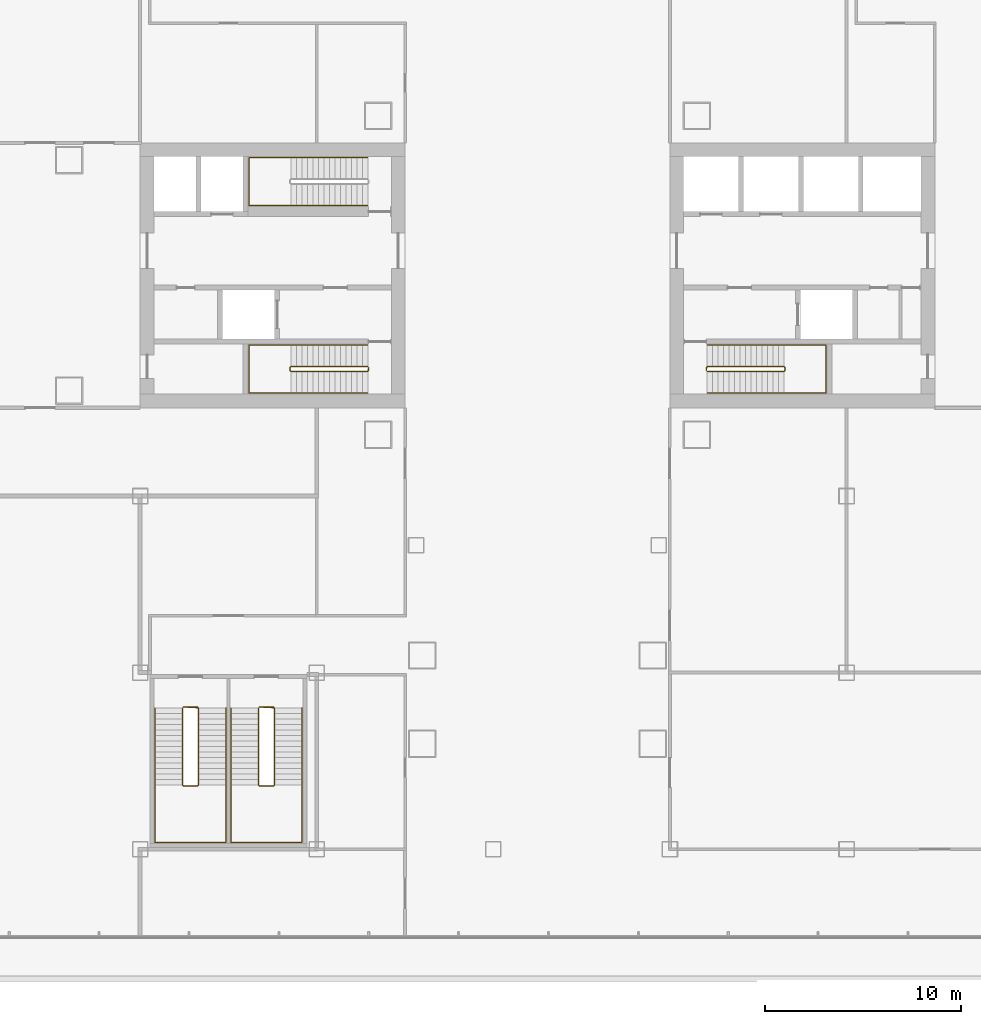
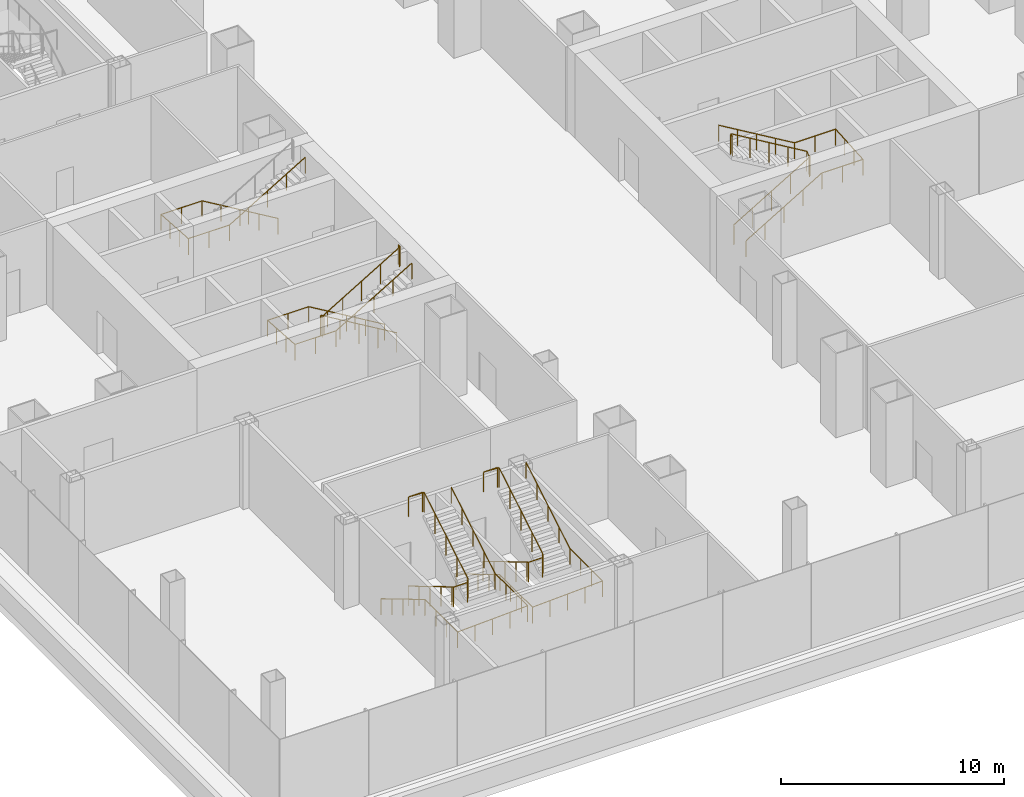
# One storey, part 29 of 33: 9 railings.
"""IFC4 building model written with IfcOpenShell, lengths in metres."""

from ifc_helpers import new_model, si_unit, direction, frame, origin, origin_2d, place, context, subcontext, project, spatial, circle, extrude, material, type_object, element, save


model = new_model("IFC4")

# Units and contexts
model_context = context("Model", 3, precision=1e-05, world=origin(), true_north=direction((0.0, 1.0)))
body_context = subcontext(model_context, "Body", "Model", "MODEL_VIEW")
ifc_project = project(units=[si_unit("LENGTHUNIT", "METRE"), si_unit("AREAUNIT", "SQUARE_METRE"), si_unit("VOLUMEUNIT", "CUBIC_METRE"), si_unit("PLANEANGLEUNIT", "RADIAN"), si_unit("MASSUNIT", "GRAM", prefix="KILO")], contexts=[model_context])

# Site, building, storey
site_placement = place(None, origin())
site = spatial("IfcSite", under=ifc_project, at=site_placement, CompositionType="ELEMENT")
building_placement = place(site_placement, origin())
building = spatial("IfcBuilding", under=site, at=building_placement, Name="Shamsa Quay Exchange Towers", CompositionType="ELEMENT")
storey_placement = place(building_placement, frame((0.0, 0.0, 18.5)))
storey = spatial("IfcBuildingStorey", under=building, at=storey_placement, Name="L03", CompositionType="ELEMENT", Elevation=18.5)

# Railings
ifc_material = material(Name="Stainless steel", Category="steel")
railing_type_1 = type_object("IfcRailingType", Name="STAIR GUARD 1100", PredefinedType="GUARDRAIL", material=ifc_material)
railing_1_placement = place(storey_placement, frame((-25.10009765625, -4.89990234375, 0.166748046875)))
element("IfcRailing", 1, at=railing_1_placement, inside=storey, type_object=railing_type_1, Name="L03 ST1 stair guard 1", PredefinedType="GUARDRAIL", context=body_context, shape_type="SweptSolid", body=[
    extrude(circle(Radius=0.02392578125, at=origin_2d()), frame((0.0, 0.0, 1.076171875), z_axis=(0.859310244771, 0.0, 0.511454693235), x_axis=(0.0, 1.0, 0.0)), (0.0, 0.0, 1.0), 4.56201171875),
    extrude(circle(Radius=0.02392578125, at=origin_2d()), frame((3.920166015625, 0.0, 3.4091796875), z_axis=(0.708833529934, 0.705375805398, 0.0), x_axis=(-0.705375805398, 0.708833529934, 0.0)), (0.0, 0.0, 1.0), 0.070556640625),
    extrude(circle(Radius=0.02392578125, at=origin_2d()), frame((3.97021484375, 0.0498046875, 3.4091796875), z_axis=(0.0, 1.0, 0.0), x_axis=(-1.0, 0.0, 0.0)), (0.0, 0.0, 1.0), 0.150146484375),
    extrude(circle(Radius=0.02392578125, at=origin_2d()), frame((3.97021484375, 0.199951171875, 3.4091796875), z_axis=(-0.27628659633, 0.27628659633, 0.920506074601), x_axis=(-0.707106781187, -0.707106781187, 0.0)), (0.0, 0.0, 1.0), 0.18115234375),
    extrude(circle(Radius=0.02392578125, at=origin_2d()), frame((3.920166015625, 0.25, 3.576171875), z_axis=(-0.859310244771, 0.0, 0.511454693235), x_axis=(0.0, -1.0, 0.0)), (0.0, 0.0, 1.0), 4.56201171875),
    extrude(circle(Radius=0.02392578125, at=origin_2d()), frame((0.0, 0.25, 5.9091796875), z_axis=(-0.24142163986, -0.970420317083, 0.0), x_axis=(0.970420317083, -0.24142163986, 0.0)), (0.0, 0.0, 1.0), 0.206298828125),
    extrude(circle(Radius=0.02392578125, at=origin_2d()), frame((-0.0498046875, 0.0498046875, 5.9091796875), z_axis=(0.0, 1.0, 0.0), x_axis=(-1.0, 0.0, 0.0)), (0.0, 0.0, 1.0), 0.150146484375),
    extrude(circle(Radius=0.02099609375, at=origin_2d()), origin(), (0.0, 0.0, 1.0), 1.052001953125),
    extrude(circle(Radius=0.02099609375, at=origin_2d()), frame((0.97998046875, 0.0, 0.583251953125)), (0.0, 0.0, 1.0), 1.052001953125),
    extrude(circle(Radius=0.02099609375, at=origin_2d()), frame((1.9599609375, 0.0, 1.16650390625)), (0.0, 0.0, 1.0), 1.052001953125),
    extrude(circle(Radius=0.02099609375, at=origin_2d()), frame((2.940185546875, 0.0, 1.75)), (0.0, 0.0, 1.0), 1.052001953125),
    extrude(circle(Radius=0.02099609375, at=origin_2d()), frame((3.920166015625, 0.0, 2.333251953125)), (0.0, 0.0, 1.0), 1.052001953125),
    extrude(circle(Radius=0.02099609375, at=origin_2d()), frame((3.97021484375, 0.0498046875, 2.333251953125)), (0.0, 0.0, 1.0), 1.052001953125),
    extrude(circle(Radius=0.02099609375, at=origin_2d()), frame((3.97021484375, 0.199951171875, 2.333251953125)), (0.0, 0.0, 1.0), 1.052001953125),
    extrude(circle(Radius=0.02099609375, at=origin_2d()), frame((3.920166015625, 0.25, 2.5)), (0.0, 0.0, 1.0), 1.052001953125),
    extrude(circle(Radius=0.02099609375, at=origin_2d()), frame((2.940185546875, 0.25, 3.083251953125)), (0.0, 0.0, 1.0), 1.052001953125),
    extrude(circle(Radius=0.02099609375, at=origin_2d()), frame((1.9599609375, 0.25, 3.66650390625)), (0.0, 0.0, 1.0), 1.052001953125),
    extrude(circle(Radius=0.02099609375, at=origin_2d()), frame((0.97998046875, 0.25, 4.25)), (0.0, 0.0, 1.0), 1.052001953125),
    extrude(circle(Radius=0.02099609375, at=origin_2d()), frame((0.0, 0.25, 4.833251953125)), (0.0, 0.0, 1.0), 1.052001953125),
    extrude(circle(Radius=0.02099609375, at=origin_2d()), frame((-0.0498046875, 0.0498046875, 4.833251953125)), (0.0, 0.0, 1.0), 1.052001953125),
    extrude(circle(Radius=0.02099609375, at=origin_2d()), frame((-0.0498046875, 0.199951171875, 4.833251953125)), (0.0, 0.0, 1.0), 1.052001953125),
])
railing_2_placement = place(storey_placement, frame((-42.39990234375, -4.64990234375, 0.166748046875)))
element("IfcRailing", 2, at=railing_2_placement, inside=storey, type_object=railing_type_1, Name="L03 ST2 stair guard 1", PredefinedType="GUARDRAIL", context=body_context, shape_type="SweptSolid", body=[
    extrude(circle(Radius=0.02392578125, at=origin_2d()), frame((0.0, 0.0, 1.076171875), z_axis=(-0.859310244771, 0.0, 0.511454693235), x_axis=(0.0, -1.0, 0.0)), (0.0, 0.0, 1.0), 4.56201171875),
    extrude(circle(Radius=0.02392578125, at=origin_2d()), frame((-3.920166015625, 0.0, 3.4091796875), z_axis=(-0.707106781187, -0.707106781187, 0.0), x_axis=(0.707106781187, -0.707106781187, 0.0)), (0.0, 0.0, 1.0), 0.07080078125),
    extrude(circle(Radius=0.02392578125, at=origin_2d()), frame((-3.97021484375, -0.050048828125, 3.4091796875), z_axis=(0.0, -1.0, 0.0), x_axis=(1.0, 0.0, 0.0)), (0.0, 0.0, 1.0), 0.150146484375),
    extrude(circle(Radius=0.02392578125, at=origin_2d()), frame((-3.97021484375, -0.2001953125, 3.4091796875), z_axis=(0.276389281352, -0.275041040955, 0.920848191041), x_axis=(0.705375805398, 0.708833529934, 0.0)), (0.0, 0.0, 1.0), 0.18115234375),
    extrude(circle(Radius=0.02392578125, at=origin_2d()), frame((-3.920166015625, -0.25, 3.576171875), z_axis=(0.859310244771, 0.0, 0.511454693235), x_axis=(0.0, 1.0, 0.0)), (0.0, 0.0, 1.0), 4.56201171875),
    extrude(circle(Radius=0.02392578125, at=origin_2d()), frame((0.0, -0.25, 5.9091796875), z_axis=(0.241699205484, 0.970351222016, 0.0), x_axis=(-0.970351222016, 0.241699205484, 0.0)), (0.0, 0.0, 1.0), 0.2060546875),
    extrude(circle(Radius=0.02392578125, at=origin_2d()), frame((0.0498046875, -0.050048828125, 5.9091796875), z_axis=(0.0, -1.0, 0.0), x_axis=(1.0, 0.0, 0.0)), (0.0, 0.0, 1.0), 0.150146484375),
    extrude(circle(Radius=0.02099609375, at=origin_2d()), origin(), (0.0, 0.0, 1.0), 1.052001953125),
    extrude(circle(Radius=0.02099609375, at=origin_2d()), frame((-0.97998046875, 0.0, 0.583251953125)), (0.0, 0.0, 1.0), 1.052001953125),
    extrude(circle(Radius=0.02099609375, at=origin_2d()), frame((-1.9599609375, 0.0, 1.16650390625)), (0.0, 0.0, 1.0), 1.052001953125),
    extrude(circle(Radius=0.02099609375, at=origin_2d()), frame((-2.940185546875, 0.0, 1.75)), (0.0, 0.0, 1.0), 1.052001953125),
    extrude(circle(Radius=0.02099609375, at=origin_2d()), frame((-3.920166015625, 0.0, 2.333251953125)), (0.0, 0.0, 1.0), 1.052001953125),
    extrude(circle(Radius=0.02099609375, at=origin_2d()), frame((-3.97021484375, -0.050048828125, 2.333251953125)), (0.0, 0.0, 1.0), 1.052001953125),
    extrude(circle(Radius=0.02099609375, at=origin_2d()), frame((-3.97021484375, -0.2001953125, 2.333251953125)), (0.0, 0.0, 1.0), 1.052001953125),
    extrude(circle(Radius=0.02099609375, at=origin_2d()), frame((-3.920166015625, -0.25, 2.5)), (0.0, 0.0, 1.0), 1.052001953125),
    extrude(circle(Radius=0.02099609375, at=origin_2d()), frame((-2.940185546875, -0.25, 3.083251953125)), (0.0, 0.0, 1.0), 1.052001953125),
    extrude(circle(Radius=0.02099609375, at=origin_2d()), frame((-1.9599609375, -0.25, 3.66650390625)), (0.0, 0.0, 1.0), 1.052001953125),
    extrude(circle(Radius=0.02099609375, at=origin_2d()), frame((-0.97998046875, -0.25, 4.25)), (0.0, 0.0, 1.0), 1.052001953125),
    extrude(circle(Radius=0.02099609375, at=origin_2d()), frame((0.0, -0.25, 4.833251953125)), (0.0, 0.0, 1.0), 1.052001953125),
    extrude(circle(Radius=0.02099609375, at=origin_2d()), frame((0.0498046875, -0.050048828125, 4.833251953125)), (0.0, 0.0, 1.0), 1.052001953125),
    extrude(circle(Radius=0.02099609375, at=origin_2d()), frame((0.0498046875, -0.2001953125, 4.833251953125)), (0.0, 0.0, 1.0), 1.052001953125),
])
railing_3_placement = place(storey_placement, frame((-51.85009765625, -22.050048828125, 0.166748046875)))
element("IfcRailing", 3, at=railing_3_placement, inside=storey, type_object=railing_type_1, Name="L03 PS5A stair guard 1", PredefinedType="GUARDRAIL", context=body_context, shape_type="SweptSolid", body=[
    extrude(circle(Radius=0.02392578125, at=origin_2d()), frame((0.0, 0.0, 1.076171875), z_axis=(0.0, -0.859296244711, 0.511478214419), x_axis=(1.0, 0.0, 0.0)), (0.0, 0.0, 1.0), 4.561767578125),
    extrude(circle(Radius=0.02392578125, at=origin_2d()), frame((0.0, -3.919921875, 3.4091796875), z_axis=(0.707106781187, -0.707106781187, 0.0), x_axis=(0.707106781187, 0.707106781187, 0.0)), (0.0, 0.0, 1.0), 0.07080078125),
    extrude(circle(Radius=0.02392578125, at=origin_2d()), frame((0.050048828125, -3.969970703125, 3.4091796875), z_axis=(1.0, 0.0, 0.0), x_axis=(0.0, 1.0, 0.0)), (0.0, 0.0, 1.0), 0.72509765625),
    extrude(circle(Radius=0.02392578125, at=origin_2d()), frame((0.775146484375, -3.969970703125, 3.4091796875), z_axis=(0.27628659633, 0.27628659633, 0.920506074601), x_axis=(-0.707106781187, 0.707106781187, 0.0)), (0.0, 0.0, 1.0), 0.18115234375),
    extrude(circle(Radius=0.02392578125, at=origin_2d()), frame((0.8251953125, -3.919921875, 3.576171875), z_axis=(0.0, 0.859296244711, 0.511478214419), x_axis=(-1.0, 0.0, 0.0)), (0.0, 0.0, 1.0), 4.561767578125),
    extrude(circle(Radius=0.02392578125, at=origin_2d()), frame((0.8251953125, 0.0, 5.9091796875), z_axis=(-0.997922050633, 0.064432762324, 0.0), x_axis=(-0.064432762324, -0.997922050633, 0.0)), (0.0, 0.0, 1.0), 0.77685546875),
    extrude(circle(Radius=0.02392578125, at=origin_2d()), frame((0.050048828125, 0.050048828125, 5.9091796875), z_axis=(1.0, 0.0, 0.0), x_axis=(0.0, 1.0, 0.0)), (0.0, 0.0, 1.0), 0.72509765625),
    extrude(circle(Radius=0.02099609375, at=origin_2d()), origin(), (0.0, 0.0, 1.0), 1.052001953125),
    extrude(circle(Radius=0.02099609375, at=origin_2d()), frame((0.0, -0.97998046875, 0.583251953125)), (0.0, 0.0, 1.0), 1.052001953125),
    extrude(circle(Radius=0.02099609375, at=origin_2d()), frame((0.0, -1.9599609375, 1.16650390625)), (0.0, 0.0, 1.0), 1.052001953125),
    extrude(circle(Radius=0.02099609375, at=origin_2d()), frame((0.0, -2.93994140625, 1.75)), (0.0, 0.0, 1.0), 1.052001953125),
    extrude(circle(Radius=0.02099609375, at=origin_2d()), frame((0.0, -3.919921875, 2.333251953125)), (0.0, 0.0, 1.0), 1.052001953125),
    extrude(circle(Radius=0.02099609375, at=origin_2d()), frame((0.050048828125, -3.969970703125, 2.333251953125)), (0.0, 0.0, 1.0), 1.052001953125),
    extrude(circle(Radius=0.02099609375, at=origin_2d()), frame((0.775146484375, -3.969970703125, 2.333251953125)), (0.0, 0.0, 1.0), 1.052001953125),
    extrude(circle(Radius=0.02099609375, at=origin_2d()), frame((0.8251953125, -3.919921875, 2.5)), (0.0, 0.0, 1.0), 1.052001953125),
    extrude(circle(Radius=0.02099609375, at=origin_2d()), frame((0.8251953125, -2.93994140625, 3.083251953125)), (0.0, 0.0, 1.0), 1.052001953125),
    extrude(circle(Radius=0.02099609375, at=origin_2d()), frame((0.8251953125, -1.9599609375, 3.66650390625)), (0.0, 0.0, 1.0), 1.052001953125),
    extrude(circle(Radius=0.02099609375, at=origin_2d()), frame((0.8251953125, -0.97998046875, 4.25)), (0.0, 0.0, 1.0), 1.052001953125),
    extrude(circle(Radius=0.02099609375, at=origin_2d()), frame((0.8251953125, 0.0, 4.833251953125)), (0.0, 0.0, 1.0), 1.052001953125),
    extrude(circle(Radius=0.02099609375, at=origin_2d()), frame((0.050048828125, 0.050048828125, 4.833251953125)), (0.0, 0.0, 1.0), 1.052001953125),
    extrude(circle(Radius=0.02099609375, at=origin_2d()), frame((0.775146484375, 0.050048828125, 4.833251953125)), (0.0, 0.0, 1.0), 1.052001953125),
])
railing_4_placement = place(storey_placement, frame((-47.97509765625, -22.050048828125, 0.166748046875)))
element("IfcRailing", 4, at=railing_4_placement, inside=storey, type_object=railing_type_1, Name="L03 PS5B stair guard 1", PredefinedType="GUARDRAIL", context=body_context, shape_type="SweptSolid", body=[
    extrude(circle(Radius=0.02392578125, at=origin_2d()), frame((0.0, 0.0, 1.076171875), z_axis=(0.0, -0.859296244711, 0.511478214419), x_axis=(1.0, 0.0, 0.0)), (0.0, 0.0, 1.0), 4.561767578125),
    extrude(circle(Radius=0.02392578125, at=origin_2d()), frame((0.0, -3.919921875, 3.4091796875), z_axis=(0.707106781187, -0.707106781187, 0.0), x_axis=(0.707106781187, 0.707106781187, 0.0)), (0.0, 0.0, 1.0), 0.07080078125),
    extrude(circle(Radius=0.02392578125, at=origin_2d()), frame((0.050048828125, -3.969970703125, 3.4091796875), z_axis=(1.0, 0.0, 0.0), x_axis=(0.0, 1.0, 0.0)), (0.0, 0.0, 1.0), 0.72509765625),
    extrude(circle(Radius=0.02392578125, at=origin_2d()), frame((0.775146484375, -3.969970703125, 3.4091796875), z_axis=(0.27628659633, 0.27628659633, 0.920506074601), x_axis=(-0.707106781187, 0.707106781187, 0.0)), (0.0, 0.0, 1.0), 0.18115234375),
    extrude(circle(Radius=0.02392578125, at=origin_2d()), frame((0.8251953125, -3.919921875, 3.576171875), z_axis=(0.0, 0.859296244711, 0.511478214419), x_axis=(-1.0, 0.0, 0.0)), (0.0, 0.0, 1.0), 4.561767578125),
    extrude(circle(Radius=0.02392578125, at=origin_2d()), frame((0.8251953125, 0.0, 5.9091796875), z_axis=(-0.997922050633, 0.064432762324, 0.0), x_axis=(-0.064432762324, -0.997922050633, 0.0)), (0.0, 0.0, 1.0), 0.77685546875),
    extrude(circle(Radius=0.02392578125, at=origin_2d()), frame((0.050048828125, 0.050048828125, 5.9091796875), z_axis=(1.0, 0.0, 0.0), x_axis=(0.0, 1.0, 0.0)), (0.0, 0.0, 1.0), 0.72509765625),
    extrude(circle(Radius=0.02099609375, at=origin_2d()), origin(), (0.0, 0.0, 1.0), 1.052001953125),
    extrude(circle(Radius=0.02099609375, at=origin_2d()), frame((0.0, -0.97998046875, 0.583251953125)), (0.0, 0.0, 1.0), 1.052001953125),
    extrude(circle(Radius=0.02099609375, at=origin_2d()), frame((0.0, -1.9599609375, 1.16650390625)), (0.0, 0.0, 1.0), 1.052001953125),
    extrude(circle(Radius=0.02099609375, at=origin_2d()), frame((0.0, -2.93994140625, 1.75)), (0.0, 0.0, 1.0), 1.052001953125),
    extrude(circle(Radius=0.02099609375, at=origin_2d()), frame((0.0, -3.919921875, 2.333251953125)), (0.0, 0.0, 1.0), 1.052001953125),
    extrude(circle(Radius=0.02099609375, at=origin_2d()), frame((0.050048828125, -3.969970703125, 2.333251953125)), (0.0, 0.0, 1.0), 1.052001953125),
    extrude(circle(Radius=0.02099609375, at=origin_2d()), frame((0.775146484375, -3.969970703125, 2.333251953125)), (0.0, 0.0, 1.0), 1.052001953125),
    extrude(circle(Radius=0.02099609375, at=origin_2d()), frame((0.8251953125, -3.919921875, 2.5)), (0.0, 0.0, 1.0), 1.052001953125),
    extrude(circle(Radius=0.02099609375, at=origin_2d()), frame((0.8251953125, -2.93994140625, 3.083251953125)), (0.0, 0.0, 1.0), 1.052001953125),
    extrude(circle(Radius=0.02099609375, at=origin_2d()), frame((0.8251953125, -1.9599609375, 3.66650390625)), (0.0, 0.0, 1.0), 1.052001953125),
    extrude(circle(Radius=0.02099609375, at=origin_2d()), frame((0.8251953125, -0.97998046875, 4.25)), (0.0, 0.0, 1.0), 1.052001953125),
    extrude(circle(Radius=0.02099609375, at=origin_2d()), frame((0.8251953125, 0.0, 4.833251953125)), (0.0, 0.0, 1.0), 1.052001953125),
    extrude(circle(Radius=0.02099609375, at=origin_2d()), frame((0.050048828125, 0.050048828125, 4.833251953125)), (0.0, 0.0, 1.0), 1.052001953125),
    extrude(circle(Radius=0.02099609375, at=origin_2d()), frame((0.775146484375, 0.050048828125, 4.833251953125)), (0.0, 0.0, 1.0), 1.052001953125),
])
railing_type_2 = type_object("IfcRailingType", Name="STAIR HANDRAIL 900", PredefinedType="HANDRAIL", material=ifc_material)
railing_5_placement = place(storey_placement, frame((-25.10009765625, -6.0, 0.166748046875)))
element("IfcRailing", 5, at=railing_5_placement, inside=storey, type_object=railing_type_2, Name="L03 ST1 stair handrail 1", PredefinedType="HANDRAIL", context=body_context, shape_type="SweptSolid", body=[
    extrude(circle(Radius=0.02392578125, at=origin_2d()), frame((0.0, 0.0, 0.8759765625), z_axis=(0.859310244771, 0.0, 0.511454693235), x_axis=(0.0, 1.0, 0.0)), (0.0, 0.0, 1.0), 4.56201171875),
    extrude(circle(Radius=0.02392578125, at=origin_2d()), frame((3.920166015625, 0.0, 3.208984375), z_axis=(1.0, 0.0, 0.0), x_axis=(0.0, 1.0, 0.0)), (0.0, 0.0, 1.0), 2.1298828125),
    extrude(circle(Radius=0.02392578125, at=origin_2d()), frame((6.050048828125, 0.0, 3.208984375), z_axis=(0.0, 0.997691813052, 0.067904684436), x_axis=(-1.0, 0.0, 0.0)), (0.0, 0.0, 1.0), 2.45556640625),
    extrude(circle(Radius=0.02392578125, at=origin_2d()), frame((6.050048828125, 2.449951171875, 3.3759765625), z_axis=(-1.0, 0.0, 0.0), x_axis=(0.0, -1.0, 0.0)), (0.0, 0.0, 1.0), 2.1298828125),
    extrude(circle(Radius=0.02392578125, at=origin_2d()), frame((3.920166015625, 2.449951171875, 3.3759765625), z_axis=(-0.859310244771, 0.0, 0.511454693235), x_axis=(0.0, -1.0, 0.0)), (0.0, 0.0, 1.0), 4.56201171875),
    extrude(circle(Radius=0.02099609375, at=origin_2d()), origin(), (0.0, 0.0, 1.0), 0.851806640625),
    extrude(circle(Radius=0.02099609375, at=origin_2d()), frame((0.97998046875, 0.0, 0.583251953125)), (0.0, 0.0, 1.0), 0.851806640625),
    extrude(circle(Radius=0.02099609375, at=origin_2d()), frame((1.9599609375, 0.0, 1.16650390625)), (0.0, 0.0, 1.0), 0.851806640625),
    extrude(circle(Radius=0.02099609375, at=origin_2d()), frame((2.940185546875, 0.0, 1.75)), (0.0, 0.0, 1.0), 0.851806640625),
    extrude(circle(Radius=0.02099609375, at=origin_2d()), frame((3.920166015625, 0.0, 2.333251953125)), (0.0, 0.0, 1.0), 0.851806640625),
    extrude(circle(Radius=0.02099609375, at=origin_2d()), frame((4.985107421875, 0.0, 2.333251953125)), (0.0, 0.0, 1.0), 0.851806640625),
    extrude(circle(Radius=0.02099609375, at=origin_2d()), frame((6.050048828125, 0.0, 2.333251953125)), (0.0, 0.0, 1.0), 0.851806640625),
    extrude(circle(Radius=0.02099609375, at=origin_2d()), frame((6.050048828125, 0.816650390625, 2.388916015625)), (0.0, 0.0, 1.0), 0.851806640625),
    extrude(circle(Radius=0.02099609375, at=origin_2d()), frame((6.050048828125, 1.63330078125, 2.4443359375)), (0.0, 0.0, 1.0), 0.851806640625),
    extrude(circle(Radius=0.02099609375, at=origin_2d()), frame((6.050048828125, 2.449951171875, 2.5)), (0.0, 0.0, 1.0), 0.851806640625),
    extrude(circle(Radius=0.02099609375, at=origin_2d()), frame((4.985107421875, 2.449951171875, 2.5)), (0.0, 0.0, 1.0), 0.851806640625),
    extrude(circle(Radius=0.02099609375, at=origin_2d()), frame((3.920166015625, 2.449951171875, 2.5)), (0.0, 0.0, 1.0), 0.851806640625),
    extrude(circle(Radius=0.02099609375, at=origin_2d()), frame((2.940185546875, 2.449951171875, 3.083251953125)), (0.0, 0.0, 1.0), 0.851806640625),
    extrude(circle(Radius=0.02099609375, at=origin_2d()), frame((1.9599609375, 2.449951171875, 3.66650390625)), (0.0, 0.0, 1.0), 0.851806640625),
    extrude(circle(Radius=0.02099609375, at=origin_2d()), frame((0.97998046875, 2.449951171875, 4.25)), (0.0, 0.0, 1.0), 0.851806640625),
    extrude(circle(Radius=0.02099609375, at=origin_2d()), frame((0.0, 2.449951171875, 4.833251953125)), (0.0, 0.0, 1.0), 0.851806640625),
])
railing_6_placement = place(storey_placement, frame((-42.39990234375, -3.550048828125, 0.166748046875)))
element("IfcRailing", 6, at=railing_6_placement, inside=storey, type_object=railing_type_2, Name="L03 ST2 stair handrail 1", PredefinedType="HANDRAIL", context=body_context, shape_type="SweptSolid", body=[
    extrude(circle(Radius=0.02392578125, at=origin_2d()), frame((0.0, 0.0, 0.8759765625), z_axis=(-0.859310244771, 0.0, 0.511454693235), x_axis=(0.0, -1.0, 0.0)), (0.0, 0.0, 1.0), 4.56201171875),
    extrude(circle(Radius=0.02392578125, at=origin_2d()), frame((-3.920166015625, 0.0, 3.208984375), z_axis=(-1.0, 0.0, 0.0), x_axis=(0.0, -1.0, 0.0)), (0.0, 0.0, 1.0), 2.1298828125),
    extrude(circle(Radius=0.02392578125, at=origin_2d()), frame((-6.050048828125, 0.0, 3.208984375), z_axis=(0.0, -0.997691813052, 0.067904684436), x_axis=(1.0, 0.0, 0.0)), (0.0, 0.0, 1.0), 2.45556640625),
    extrude(circle(Radius=0.02392578125, at=origin_2d()), frame((-6.050048828125, -2.449951171875, 3.3759765625), z_axis=(1.0, 0.0, 0.0), x_axis=(0.0, 1.0, 0.0)), (0.0, 0.0, 1.0), 2.1298828125),
    extrude(circle(Radius=0.02392578125, at=origin_2d()), frame((-3.920166015625, -2.449951171875, 3.3759765625), z_axis=(0.859310244771, 0.0, 0.511454693235), x_axis=(0.0, 1.0, 0.0)), (0.0, 0.0, 1.0), 4.56201171875),
    extrude(circle(Radius=0.02099609375, at=origin_2d()), origin(), (0.0, 0.0, 1.0), 0.851806640625),
    extrude(circle(Radius=0.02099609375, at=origin_2d()), frame((-0.97998046875, 0.0, 0.583251953125)), (0.0, 0.0, 1.0), 0.851806640625),
    extrude(circle(Radius=0.02099609375, at=origin_2d()), frame((-1.9599609375, 0.0, 1.16650390625)), (0.0, 0.0, 1.0), 0.851806640625),
    extrude(circle(Radius=0.02099609375, at=origin_2d()), frame((-2.940185546875, 0.0, 1.75)), (0.0, 0.0, 1.0), 0.851806640625),
    extrude(circle(Radius=0.02099609375, at=origin_2d()), frame((-3.920166015625, 0.0, 2.333251953125)), (0.0, 0.0, 1.0), 0.851806640625),
    extrude(circle(Radius=0.02099609375, at=origin_2d()), frame((-4.985107421875, 0.0, 2.333251953125)), (0.0, 0.0, 1.0), 0.851806640625),
    extrude(circle(Radius=0.02099609375, at=origin_2d()), frame((-6.050048828125, 0.0, 2.333251953125)), (0.0, 0.0, 1.0), 0.851806640625),
    extrude(circle(Radius=0.02099609375, at=origin_2d()), frame((-6.050048828125, -0.816650390625, 2.388916015625)), (0.0, 0.0, 1.0), 0.851806640625),
    extrude(circle(Radius=0.02099609375, at=origin_2d()), frame((-6.050048828125, -1.63330078125, 2.4443359375)), (0.0, 0.0, 1.0), 0.851806640625),
    extrude(circle(Radius=0.02099609375, at=origin_2d()), frame((-6.050048828125, -2.449951171875, 2.5)), (0.0, 0.0, 1.0), 0.851806640625),
    extrude(circle(Radius=0.02099609375, at=origin_2d()), frame((-4.985107421875, -2.449951171875, 2.5)), (0.0, 0.0, 1.0), 0.851806640625),
    extrude(circle(Radius=0.02099609375, at=origin_2d()), frame((-3.920166015625, -2.449951171875, 2.5)), (0.0, 0.0, 1.0), 0.851806640625),
    extrude(circle(Radius=0.02099609375, at=origin_2d()), frame((-2.940185546875, -2.449951171875, 3.083251953125)), (0.0, 0.0, 1.0), 0.851806640625),
    extrude(circle(Radius=0.02099609375, at=origin_2d()), frame((-1.9599609375, -2.449951171875, 3.66650390625)), (0.0, 0.0, 1.0), 0.851806640625),
    extrude(circle(Radius=0.02099609375, at=origin_2d()), frame((-0.97998046875, -2.449951171875, 4.25)), (0.0, 0.0, 1.0), 0.851806640625),
    extrude(circle(Radius=0.02099609375, at=origin_2d()), frame((0.0, -2.449951171875, 4.833251953125)), (0.0, 0.0, 1.0), 0.851806640625),
])
railing_7_placement = place(storey_placement, frame((-42.39990234375, 6.0, 0.166748046875)))
element("IfcRailing", 7, at=railing_7_placement, inside=storey, type_object=railing_type_2, Name="L03 ST3 stair handrail 1", PredefinedType="HANDRAIL", context=body_context, shape_type="SweptSolid", body=[
    extrude(circle(Radius=0.02392578125, at=origin_2d()), frame((0.0, 0.0, 0.8759765625), z_axis=(-0.859310244771, 0.0, 0.511454693235), x_axis=(0.0, -1.0, 0.0)), (0.0, 0.0, 1.0), 4.56201171875),
    extrude(circle(Radius=0.02392578125, at=origin_2d()), frame((-3.920166015625, 0.0, 3.208984375), z_axis=(-1.0, 0.0, 0.0), x_axis=(0.0, -1.0, 0.0)), (0.0, 0.0, 1.0), 2.1298828125),
    extrude(circle(Radius=0.02392578125, at=origin_2d()), frame((-6.050048828125, 0.0, 3.208984375), z_axis=(0.0, -0.997691813052, 0.067904684436), x_axis=(1.0, 0.0, 0.0)), (0.0, 0.0, 1.0), 2.45556640625),
    extrude(circle(Radius=0.02392578125, at=origin_2d()), frame((-6.050048828125, -2.449951171875, 3.3759765625), z_axis=(1.0, 0.0, 0.0), x_axis=(0.0, 1.0, 0.0)), (0.0, 0.0, 1.0), 2.1298828125),
    extrude(circle(Radius=0.02392578125, at=origin_2d()), frame((-3.920166015625, -2.449951171875, 3.3759765625), z_axis=(0.859310244771, 0.0, 0.511454693235), x_axis=(0.0, 1.0, 0.0)), (0.0, 0.0, 1.0), 4.56201171875),
    extrude(circle(Radius=0.02099609375, at=origin_2d()), origin(), (0.0, 0.0, 1.0), 0.851806640625),
    extrude(circle(Radius=0.02099609375, at=origin_2d()), frame((-0.97998046875, 0.0, 0.583251953125)), (0.0, 0.0, 1.0), 0.851806640625),
    extrude(circle(Radius=0.02099609375, at=origin_2d()), frame((-1.9599609375, 0.0, 1.16650390625)), (0.0, 0.0, 1.0), 0.851806640625),
    extrude(circle(Radius=0.02099609375, at=origin_2d()), frame((-2.940185546875, 0.0, 1.75)), (0.0, 0.0, 1.0), 0.851806640625),
    extrude(circle(Radius=0.02099609375, at=origin_2d()), frame((-3.920166015625, 0.0, 2.333251953125)), (0.0, 0.0, 1.0), 0.851806640625),
    extrude(circle(Radius=0.02099609375, at=origin_2d()), frame((-4.985107421875, 0.0, 2.333251953125)), (0.0, 0.0, 1.0), 0.851806640625),
    extrude(circle(Radius=0.02099609375, at=origin_2d()), frame((-6.050048828125, 0.0, 2.333251953125)), (0.0, 0.0, 1.0), 0.851806640625),
    extrude(circle(Radius=0.02099609375, at=origin_2d()), frame((-6.050048828125, -0.816650390625, 2.388916015625)), (0.0, 0.0, 1.0), 0.851806640625),
    extrude(circle(Radius=0.02099609375, at=origin_2d()), frame((-6.050048828125, -1.63330078125, 2.4443359375)), (0.0, 0.0, 1.0), 0.851806640625),
    extrude(circle(Radius=0.02099609375, at=origin_2d()), frame((-6.050048828125, -2.449951171875, 2.5)), (0.0, 0.0, 1.0), 0.851806640625),
    extrude(circle(Radius=0.02099609375, at=origin_2d()), frame((-4.985107421875, -2.449951171875, 2.5)), (0.0, 0.0, 1.0), 0.851806640625),
    extrude(circle(Radius=0.02099609375, at=origin_2d()), frame((-3.920166015625, -2.449951171875, 2.5)), (0.0, 0.0, 1.0), 0.851806640625),
    extrude(circle(Radius=0.02099609375, at=origin_2d()), frame((-2.940185546875, -2.449951171875, 3.083251953125)), (0.0, 0.0, 1.0), 0.851806640625),
    extrude(circle(Radius=0.02099609375, at=origin_2d()), frame((-1.9599609375, -2.449951171875, 3.66650390625)), (0.0, 0.0, 1.0), 0.851806640625),
    extrude(circle(Radius=0.02099609375, at=origin_2d()), frame((-0.97998046875, -2.449951171875, 4.25)), (0.0, 0.0, 1.0), 0.851806640625),
    extrude(circle(Radius=0.02099609375, at=origin_2d()), frame((0.0, -2.449951171875, 4.833251953125)), (0.0, 0.0, 1.0), 0.851806640625),
])
railing_8_placement = place(storey_placement, frame((-53.25, -22.050048828125, 0.166748046875)))
element("IfcRailing", 8, at=railing_8_placement, inside=storey, type_object=railing_type_2, Name="L03 PS5A stair handrail 1", PredefinedType="HANDRAIL", context=body_context, shape_type="SweptSolid", body=[
    extrude(circle(Radius=0.02392578125, at=origin_2d()), frame((0.0, 0.0, 0.8759765625), z_axis=(0.0, -0.859296244711, 0.511478214419), x_axis=(1.0, 0.0, 0.0)), (0.0, 0.0, 1.0), 4.561767578125),
    extrude(circle(Radius=0.02392578125, at=origin_2d()), frame((0.0, -3.919921875, 3.208984375), z_axis=(0.0, -1.0, 0.0), x_axis=(1.0, 0.0, 0.0)), (0.0, 0.0, 1.0), 2.929931640625),
    extrude(circle(Radius=0.02392578125, at=origin_2d()), frame((0.0, -6.849853515625, 3.208984375), z_axis=(0.998943700797, 0.0, 0.045950872013), x_axis=(0.0, 1.0, 0.0)), (0.0, 0.0, 1.0), 3.62890625),
    extrude(circle(Radius=0.02392578125, at=origin_2d()), frame((3.625, -6.849853515625, 3.3759765625), z_axis=(0.0, 1.0, 0.0), x_axis=(-1.0, 0.0, 0.0)), (0.0, 0.0, 1.0), 2.929931640625),
    extrude(circle(Radius=0.02392578125, at=origin_2d()), frame((3.625, -3.919921875, 3.3759765625), z_axis=(0.0, 0.859296244711, 0.511478214419), x_axis=(-1.0, 0.0, 0.0)), (0.0, 0.0, 1.0), 4.561767578125),
    extrude(circle(Radius=0.02099609375, at=origin_2d()), origin(), (0.0, 0.0, 1.0), 0.851806640625),
    extrude(circle(Radius=0.02099609375, at=origin_2d()), frame((0.0, -0.97998046875, 0.583251953125)), (0.0, 0.0, 1.0), 0.851806640625),
    extrude(circle(Radius=0.02099609375, at=origin_2d()), frame((0.0, -1.9599609375, 1.16650390625)), (0.0, 0.0, 1.0), 0.851806640625),
    extrude(circle(Radius=0.02099609375, at=origin_2d()), frame((0.0, -2.93994140625, 1.75)), (0.0, 0.0, 1.0), 0.851806640625),
    extrude(circle(Radius=0.02099609375, at=origin_2d()), frame((0.0, -3.919921875, 2.333251953125)), (0.0, 0.0, 1.0), 0.851806640625),
    extrude(circle(Radius=0.02099609375, at=origin_2d()), frame((0.0, -4.896484375, 2.333251953125)), (0.0, 0.0, 1.0), 0.851806640625),
    extrude(circle(Radius=0.02099609375, at=origin_2d()), frame((0.0, -5.873291015625, 2.333251953125)), (0.0, 0.0, 1.0), 0.851806640625),
    extrude(circle(Radius=0.02099609375, at=origin_2d()), frame((0.0, -6.849853515625, 2.333251953125)), (0.0, 0.0, 1.0), 0.851806640625),
    extrude(circle(Radius=0.02099609375, at=origin_2d()), frame((0.90625, -6.849853515625, 2.375)), (0.0, 0.0, 1.0), 0.851806640625),
    extrude(circle(Radius=0.02099609375, at=origin_2d()), frame((1.8125, -6.849853515625, 2.41650390625)), (0.0, 0.0, 1.0), 0.851806640625),
    extrude(circle(Radius=0.02099609375, at=origin_2d()), frame((2.71875, -6.849853515625, 2.458251953125)), (0.0, 0.0, 1.0), 0.851806640625),
    extrude(circle(Radius=0.02099609375, at=origin_2d()), frame((3.625, -6.849853515625, 2.5)), (0.0, 0.0, 1.0), 0.851806640625),
    extrude(circle(Radius=0.02099609375, at=origin_2d()), frame((3.625, -5.873291015625, 2.5)), (0.0, 0.0, 1.0), 0.851806640625),
    extrude(circle(Radius=0.02099609375, at=origin_2d()), frame((3.625, -4.896484375, 2.5)), (0.0, 0.0, 1.0), 0.851806640625),
    extrude(circle(Radius=0.02099609375, at=origin_2d()), frame((3.625, -3.919921875, 2.5)), (0.0, 0.0, 1.0), 0.851806640625),
    extrude(circle(Radius=0.02099609375, at=origin_2d()), frame((3.625, -2.93994140625, 3.083251953125)), (0.0, 0.0, 1.0), 0.851806640625),
    extrude(circle(Radius=0.02099609375, at=origin_2d()), frame((3.625, -1.9599609375, 3.66650390625)), (0.0, 0.0, 1.0), 0.851806640625),
    extrude(circle(Radius=0.02099609375, at=origin_2d()), frame((3.625, -0.97998046875, 4.25)), (0.0, 0.0, 1.0), 0.851806640625),
    extrude(circle(Radius=0.02099609375, at=origin_2d()), frame((3.625, 0.0, 4.833251953125)), (0.0, 0.0, 1.0), 0.851806640625),
])
railing_9_placement = place(storey_placement, frame((-49.375, -22.050048828125, 0.166748046875)))
element("IfcRailing", 9, at=railing_9_placement, inside=storey, type_object=railing_type_2, Name="L03 PS5B stair handrail 1", PredefinedType="HANDRAIL", context=body_context, shape_type="SweptSolid", body=[
    extrude(circle(Radius=0.02392578125, at=origin_2d()), frame((0.0, 0.0, 0.8759765625), z_axis=(0.0, -0.859296244711, 0.511478214419), x_axis=(1.0, 0.0, 0.0)), (0.0, 0.0, 1.0), 4.561767578125),
    extrude(circle(Radius=0.02392578125, at=origin_2d()), frame((0.0, -3.919921875, 3.208984375), z_axis=(0.0, -1.0, 0.0), x_axis=(1.0, 0.0, 0.0)), (0.0, 0.0, 1.0), 2.929931640625),
    extrude(circle(Radius=0.02392578125, at=origin_2d()), frame((0.0, -6.849853515625, 3.208984375), z_axis=(0.998943700797, 0.0, 0.045950872013), x_axis=(0.0, 1.0, 0.0)), (0.0, 0.0, 1.0), 3.62890625),
    extrude(circle(Radius=0.02392578125, at=origin_2d()), frame((3.625, -6.849853515625, 3.3759765625), z_axis=(0.0, 1.0, 0.0), x_axis=(-1.0, 0.0, 0.0)), (0.0, 0.0, 1.0), 2.929931640625),
    extrude(circle(Radius=0.02392578125, at=origin_2d()), frame((3.625, -3.919921875, 3.3759765625), z_axis=(0.0, 0.859296244711, 0.511478214419), x_axis=(-1.0, 0.0, 0.0)), (0.0, 0.0, 1.0), 4.561767578125),
    extrude(circle(Radius=0.02099609375, at=origin_2d()), origin(), (0.0, 0.0, 1.0), 0.851806640625),
    extrude(circle(Radius=0.02099609375, at=origin_2d()), frame((0.0, -0.97998046875, 0.583251953125)), (0.0, 0.0, 1.0), 0.851806640625),
    extrude(circle(Radius=0.02099609375, at=origin_2d()), frame((0.0, -1.9599609375, 1.16650390625)), (0.0, 0.0, 1.0), 0.851806640625),
    extrude(circle(Radius=0.02099609375, at=origin_2d()), frame((0.0, -2.93994140625, 1.75)), (0.0, 0.0, 1.0), 0.851806640625),
    extrude(circle(Radius=0.02099609375, at=origin_2d()), frame((0.0, -3.919921875, 2.333251953125)), (0.0, 0.0, 1.0), 0.851806640625),
    extrude(circle(Radius=0.02099609375, at=origin_2d()), frame((0.0, -4.896484375, 2.333251953125)), (0.0, 0.0, 1.0), 0.851806640625),
    extrude(circle(Radius=0.02099609375, at=origin_2d()), frame((0.0, -5.873291015625, 2.333251953125)), (0.0, 0.0, 1.0), 0.851806640625),
    extrude(circle(Radius=0.02099609375, at=origin_2d()), frame((0.0, -6.849853515625, 2.333251953125)), (0.0, 0.0, 1.0), 0.851806640625),
    extrude(circle(Radius=0.02099609375, at=origin_2d()), frame((0.90625, -6.849853515625, 2.375)), (0.0, 0.0, 1.0), 0.851806640625),
    extrude(circle(Radius=0.02099609375, at=origin_2d()), frame((1.8125, -6.849853515625, 2.41650390625)), (0.0, 0.0, 1.0), 0.851806640625),
    extrude(circle(Radius=0.02099609375, at=origin_2d()), frame((2.71875, -6.849853515625, 2.458251953125)), (0.0, 0.0, 1.0), 0.851806640625),
    extrude(circle(Radius=0.02099609375, at=origin_2d()), frame((3.625, -6.849853515625, 2.5)), (0.0, 0.0, 1.0), 0.851806640625),
    extrude(circle(Radius=0.02099609375, at=origin_2d()), frame((3.625, -5.873291015625, 2.5)), (0.0, 0.0, 1.0), 0.851806640625),
    extrude(circle(Radius=0.02099609375, at=origin_2d()), frame((3.625, -4.896484375, 2.5)), (0.0, 0.0, 1.0), 0.851806640625),
    extrude(circle(Radius=0.02099609375, at=origin_2d()), frame((3.625, -3.919921875, 2.5)), (0.0, 0.0, 1.0), 0.851806640625),
    extrude(circle(Radius=0.02099609375, at=origin_2d()), frame((3.625, -2.93994140625, 3.083251953125)), (0.0, 0.0, 1.0), 0.851806640625),
    extrude(circle(Radius=0.02099609375, at=origin_2d()), frame((3.625, -1.9599609375, 3.66650390625)), (0.0, 0.0, 1.0), 0.851806640625),
    extrude(circle(Radius=0.02099609375, at=origin_2d()), frame((3.625, -0.97998046875, 4.25)), (0.0, 0.0, 1.0), 0.851806640625),
    extrude(circle(Radius=0.02099609375, at=origin_2d()), frame((3.625, 0.0, 4.833251953125)), (0.0, 0.0, 1.0), 0.851806640625),
])

save(model, "model.ifc")
